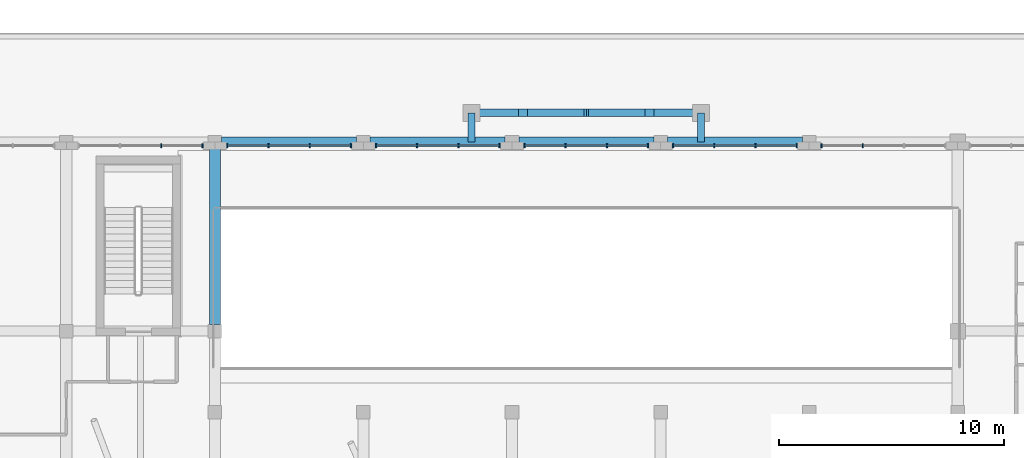
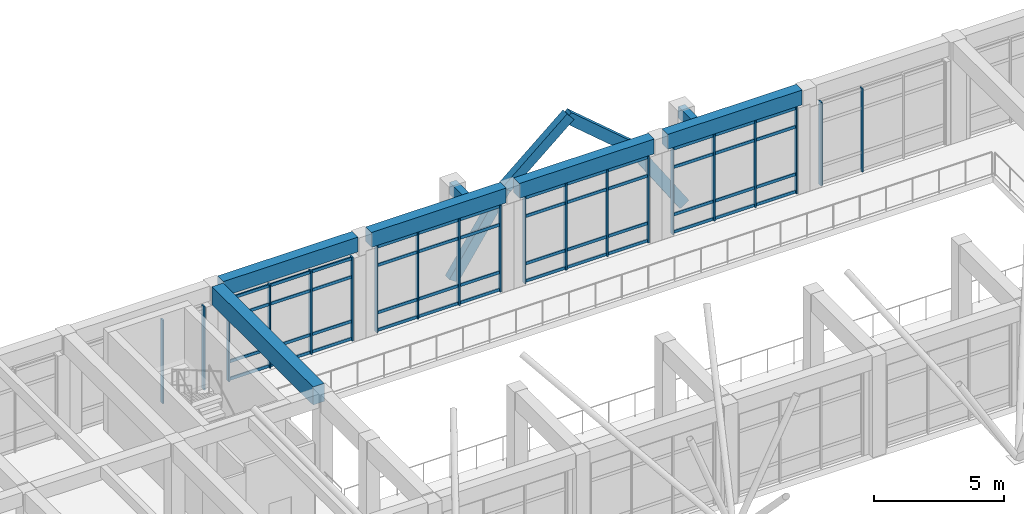
# One storey, part 20 of 75: 40 members, 7 beams, 6 elements without a shape of their own.
"""IFC4 building model written with IfcOpenShell, lengths in metres."""

from ifc_helpers import new_model, si_unit, direction, frame, origin, origin_2d, place, context, subcontext, project, spatial, rectangle, extrude, material, layer, layer_set, material_profile, profile_set, type_object, element, aggregate, save


model = new_model("IFC4")

# Units and contexts
model_context = context("Model", 3, precision=1e-05, world=origin(), true_north=direction((0.0, 1.0)))
body_context = subcontext(model_context, "Body", "Model", "MODEL_VIEW")
ifc_project = project(units=[si_unit("LENGTHUNIT", "METRE"), si_unit("AREAUNIT", "SQUARE_METRE"), si_unit("VOLUMEUNIT", "CUBIC_METRE"), si_unit("PLANEANGLEUNIT", "RADIAN"), si_unit("MASSUNIT", "GRAM", prefix="KILO")], contexts=[model_context])

# Site, building, storey
site_placement = place(None, origin())
site = spatial("IfcSite", under=ifc_project, at=site_placement, CompositionType="ELEMENT")
building_placement = place(site_placement, origin())
building = spatial("IfcBuilding", under=site, at=building_placement, Name="Kolvaren Faculty of Natural Sciences", CompositionType="ELEMENT")
storey_placement = place(building_placement, frame((0.0, 0.0, 5.39990234375)))
storey = spatial("IfcBuildingStorey", under=building, at=storey_placement, Name="L01", CompositionType="ELEMENT", Elevation=5.39990234375)

# Curtain wall, members
ifc_material_1 = material(Name="Thermally broken anodised aluminium framing", Category="aluminium")
ifc_layer = layer(ifc_material_1, 0.179931640625)
ifc_layer_set = layer_set([ifc_layer], Name="Thermally broken anodised aluminium framing")
curtain_wall_type = type_object("IfcCurtainWallType", Name="AtriumCurtainWall_CW01", PredefinedType="NOTDEFINED", material=ifc_layer_set)
curtain_wall_1_placement = place(storey_placement, origin())
curtain_wall_1 = element("IfcCurtainWall", 1, at=curtain_wall_1_placement, inside=storey, type_object=curtain_wall_type, Name="L01 unitised curtain wall CW-01 (CW-L01-055)", PredefinedType="NOTDEFINED")
ifc_material_profile_1 = material_profile(ifc_material_1, rectangle(XDim=0.06005859375, YDim=0.179931640625, at=origin_2d()), Name="ALU MUL 60x180")
ifc_profile_set_1 = profile_set([ifc_material_profile_1], Name="Thermally broken anodised aluminium framing")
member_type_1 = type_object("IfcMemberType", Name="CurtainMullion_60x180", PredefinedType="MULLION", material=ifc_profile_set_1)
member_1_placement = place(storey_placement, frame((63.816650390625, 84.0400390625, 0.0), z_axis=(0.0, 0.0, 1.0), x_axis=(1.0, 0.0, 0.0)))
member_1 = element("IfcMember", 2, at=member_1_placement, type_object=member_type_1, Name="CW-L01-055 vertical mullion 3", PredefinedType="MULLION", context=body_context, shape_type="SweptSolid", body=[
    extrude(rectangle(XDim=0.06005859375, YDim=0.179931640625, at=origin_2d()), origin(), (0.0, 0.0, 1.0), 3.93505859375),
])
member_2_placement = place(storey_placement, frame((65.64990234375, 84.0400390625, 0.0), z_axis=(0.0, 0.0, 1.0), x_axis=(1.0, 0.0, 0.0)))
member_2 = element("IfcMember", 3, at=member_2_placement, type_object=member_type_1, Name="CW-L01-055 vertical mullion 4", PredefinedType="MULLION", context=body_context, shape_type="SweptSolid", body=[
    extrude(rectangle(XDim=0.06005859375, YDim=0.179931640625, at=origin_2d()), origin(), (0.0, 0.0, 1.0), 3.93505859375),
])
aggregate(curtain_wall_1, [member_1, member_2])

curtain_wall_2_placement = place(storey_placement, origin())
curtain_wall_2 = element("IfcCurtainWall", 4, at=curtain_wall_2_placement, inside=storey, type_object=curtain_wall_type, Name="L01 unitised curtain wall CW-01 (CW-L01-056)", PredefinedType="NOTDEFINED")
member_3_placement = place(storey_placement, frame((66.75, 84.0400390625, 0.0), z_axis=(0.0, 0.0, 1.0), x_axis=(1.0, 0.0, 0.0)))
member_3 = element("IfcMember", 5, at=member_3_placement, type_object=member_type_1, Name="CW-L01-056 vertical mullion 1", PredefinedType="MULLION", context=body_context, shape_type="SweptSolid", body=[
    extrude(rectangle(XDim=0.06005859375, YDim=0.179931640625, at=origin_2d()), origin(), (0.0, 0.0, 1.0), 3.93505859375),
])
member_4_placement = place(storey_placement, frame((68.583251953125, 84.0400390625, 0.0), z_axis=(0.0, 0.0, 1.0), x_axis=(1.0, 0.0, 0.0)))
member_4 = element("IfcMember", 6, at=member_4_placement, type_object=member_type_1, Name="CW-L01-056 vertical mullion 2", PredefinedType="MULLION", context=body_context, shape_type="SweptSolid", body=[
    extrude(rectangle(XDim=0.06005859375, YDim=0.179931640625, at=origin_2d()), origin(), (0.0, 0.0, 1.0), 3.93505859375),
])
member_5_placement = place(storey_placement, frame((70.416748046875, 84.0400390625, 0.0), z_axis=(0.0, 0.0, 1.0), x_axis=(1.0, 0.0, 0.0)))
member_5 = element("IfcMember", 7, at=member_5_placement, type_object=member_type_1, Name="CW-L01-056 vertical mullion 3", PredefinedType="MULLION", context=body_context, shape_type="SweptSolid", body=[
    extrude(rectangle(XDim=0.06005859375, YDim=0.179931640625, at=origin_2d()), origin(), (0.0, 0.0, 1.0), 3.93505859375),
])
member_6_placement = place(storey_placement, frame((72.25, 84.0400390625, 0.0), z_axis=(0.0, 0.0, 1.0), x_axis=(1.0, 0.0, 0.0)))
member_6 = element("IfcMember", 8, at=member_6_placement, type_object=member_type_1, Name="CW-L01-056 vertical mullion 4", PredefinedType="MULLION", context=body_context, shape_type="SweptSolid", body=[
    extrude(rectangle(XDim=0.06005859375, YDim=0.179931640625, at=origin_2d()), origin(), (0.0, 0.0, 1.0), 3.93505859375),
])

curtain_wall_3_placement = place(storey_placement, origin())
curtain_wall_3 = element("IfcCurtainWall", 9, at=curtain_wall_3_placement, inside=storey, type_object=curtain_wall_type, Name="L01 unitised curtain wall CW-01 (CW-L01-057)", PredefinedType="NOTDEFINED")
member_7_placement = place(storey_placement, frame((73.35009765625, 84.0400390625, 0.0), z_axis=(0.0, 0.0, 1.0), x_axis=(1.0, 0.0, 0.0)))
member_7 = element("IfcMember", 10, at=member_7_placement, type_object=member_type_1, Name="CW-L01-057 vertical mullion 1", PredefinedType="MULLION", context=body_context, shape_type="SweptSolid", body=[
    extrude(rectangle(XDim=0.06005859375, YDim=0.179931640625, at=origin_2d()), origin(), (0.0, 0.0, 1.0), 4.085205078125),
])
member_8_placement = place(storey_placement, frame((75.183349609375, 84.0400390625, 0.0), z_axis=(0.0, 0.0, 1.0), x_axis=(1.0, 0.0, 0.0)))
member_8 = element("IfcMember", 11, at=member_8_placement, type_object=member_type_1, Name="CW-L01-057 vertical mullion 2", PredefinedType="MULLION", context=body_context, shape_type="SweptSolid", body=[
    extrude(rectangle(XDim=0.06005859375, YDim=0.179931640625, at=origin_2d()), origin(), (0.0, 0.0, 1.0), 4.085205078125),
])
member_9_placement = place(storey_placement, frame((77.0166015625, 84.0400390625, 0.0), z_axis=(0.0, 0.0, 1.0), x_axis=(1.0, 0.0, 0.0)))
member_9 = element("IfcMember", 12, at=member_9_placement, type_object=member_type_1, Name="CW-L01-057 vertical mullion 3", PredefinedType="MULLION", context=body_context, shape_type="SweptSolid", body=[
    extrude(rectangle(XDim=0.06005859375, YDim=0.179931640625, at=origin_2d()), origin(), (0.0, 0.0, 1.0), 4.085205078125),
])
member_10_placement = place(storey_placement, frame((78.85009765625, 84.0400390625, 0.0), z_axis=(0.0, 0.0, 1.0), x_axis=(1.0, 0.0, 0.0)))
member_10 = element("IfcMember", 13, at=member_10_placement, type_object=member_type_1, Name="CW-L01-057 vertical mullion 4", PredefinedType="MULLION", context=body_context, shape_type="SweptSolid", body=[
    extrude(rectangle(XDim=0.06005859375, YDim=0.179931640625, at=origin_2d()), origin(), (0.0, 0.0, 1.0), 4.085205078125),
])

curtain_wall_4_placement = place(storey_placement, origin())
curtain_wall_4 = element("IfcCurtainWall", 14, at=curtain_wall_4_placement, inside=storey, type_object=curtain_wall_type, Name="L01 unitised curtain wall CW-01 (CW-L01-058)", PredefinedType="NOTDEFINED")
member_11_placement = place(storey_placement, frame((79.949951171875, 84.0400390625, 0.0), z_axis=(0.0, 0.0, 1.0), x_axis=(1.0, 0.0, 0.0)))
member_11 = element("IfcMember", 15, at=member_11_placement, type_object=member_type_1, Name="CW-L01-058 vertical mullion 1", PredefinedType="MULLION", context=body_context, shape_type="SweptSolid", body=[
    extrude(rectangle(XDim=0.06005859375, YDim=0.179931640625, at=origin_2d()), origin(), (0.0, 0.0, 1.0), 4.085205078125),
])
member_12_placement = place(storey_placement, frame((81.783203125, 84.0400390625, 0.0), z_axis=(0.0, 0.0, 1.0), x_axis=(1.0, 0.0, 0.0)))
member_12 = element("IfcMember", 16, at=member_12_placement, type_object=member_type_1, Name="CW-L01-058 vertical mullion 2", PredefinedType="MULLION", context=body_context, shape_type="SweptSolid", body=[
    extrude(rectangle(XDim=0.06005859375, YDim=0.179931640625, at=origin_2d()), origin(), (0.0, 0.0, 1.0), 4.085205078125),
])
member_13_placement = place(storey_placement, frame((83.61669921875, 84.0400390625, 0.0), z_axis=(0.0, 0.0, 1.0), x_axis=(1.0, 0.0, 0.0)))
member_13 = element("IfcMember", 17, at=member_13_placement, type_object=member_type_1, Name="CW-L01-058 vertical mullion 3", PredefinedType="MULLION", context=body_context, shape_type="SweptSolid", body=[
    extrude(rectangle(XDim=0.06005859375, YDim=0.179931640625, at=origin_2d()), origin(), (0.0, 0.0, 1.0), 4.085205078125),
])
member_14_placement = place(storey_placement, frame((85.449951171875, 84.0400390625, 0.0), z_axis=(0.0, 0.0, 1.0), x_axis=(1.0, 0.0, 0.0)))
member_14 = element("IfcMember", 18, at=member_14_placement, type_object=member_type_1, Name="CW-L01-058 vertical mullion 4", PredefinedType="MULLION", context=body_context, shape_type="SweptSolid", body=[
    extrude(rectangle(XDim=0.06005859375, YDim=0.179931640625, at=origin_2d()), origin(), (0.0, 0.0, 1.0), 4.085205078125),
])

curtain_wall_5_placement = place(storey_placement, origin())
curtain_wall_5 = element("IfcCurtainWall", 19, at=curtain_wall_5_placement, inside=storey, type_object=curtain_wall_type, Name="L01 unitised curtain wall CW-01 (CW-L01-059)", PredefinedType="NOTDEFINED")
member_15_placement = place(storey_placement, frame((86.550048828125, 84.0400390625, 0.0), z_axis=(0.0, 0.0, 1.0), x_axis=(1.0, 0.0, 0.0)))
member_15 = element("IfcMember", 20, at=member_15_placement, type_object=member_type_1, Name="CW-L01-059 vertical mullion 1", PredefinedType="MULLION", context=body_context, shape_type="SweptSolid", body=[
    extrude(rectangle(XDim=0.06005859375, YDim=0.179931640625, at=origin_2d()), origin(), (0.0, 0.0, 1.0), 4.085205078125),
])
member_16_placement = place(storey_placement, frame((88.38330078125, 84.0400390625, 0.0), z_axis=(0.0, 0.0, 1.0), x_axis=(1.0, 0.0, 0.0)))
member_16 = element("IfcMember", 21, at=member_16_placement, type_object=member_type_1, Name="CW-L01-059 vertical mullion 2", PredefinedType="MULLION", context=body_context, shape_type="SweptSolid", body=[
    extrude(rectangle(XDim=0.06005859375, YDim=0.179931640625, at=origin_2d()), origin(), (0.0, 0.0, 1.0), 4.085205078125),
])
member_17_placement = place(storey_placement, frame((90.216796875, 84.0400390625, 0.0), z_axis=(0.0, 0.0, 1.0), x_axis=(1.0, 0.0, 0.0)))
member_17 = element("IfcMember", 22, at=member_17_placement, type_object=member_type_1, Name="CW-L01-059 vertical mullion 3", PredefinedType="MULLION", context=body_context, shape_type="SweptSolid", body=[
    extrude(rectangle(XDim=0.06005859375, YDim=0.179931640625, at=origin_2d()), origin(), (0.0, 0.0, 1.0), 4.085205078125),
])
member_18_placement = place(storey_placement, frame((92.050048828125, 84.0400390625, 0.0), z_axis=(0.0, 0.0, 1.0), x_axis=(1.0, 0.0, 0.0)))
member_18 = element("IfcMember", 23, at=member_18_placement, type_object=member_type_1, Name="CW-L01-059 vertical mullion 4", PredefinedType="MULLION", context=body_context, shape_type="SweptSolid", body=[
    extrude(rectangle(XDim=0.06005859375, YDim=0.179931640625, at=origin_2d()), origin(), (0.0, 0.0, 1.0), 4.085205078125),
])

curtain_wall_6_placement = place(storey_placement, origin())
curtain_wall_6 = element("IfcCurtainWall", 24, at=curtain_wall_6_placement, inside=storey, type_object=curtain_wall_type, Name="L01 unitised curtain wall CW-01 (CW-L01-060)", PredefinedType="NOTDEFINED")
member_19_placement = place(storey_placement, frame((93.14990234375, 84.0400390625, 0.0), z_axis=(0.0, 0.0, 1.0), x_axis=(1.0, 0.0, 0.0)))
member_19 = element("IfcMember", 25, at=member_19_placement, type_object=member_type_1, Name="CW-L01-060 vertical mullion 1", PredefinedType="MULLION", context=body_context, shape_type="SweptSolid", body=[
    extrude(rectangle(XDim=0.06005859375, YDim=0.179931640625, at=origin_2d()), origin(), (0.0, 0.0, 1.0), 3.93505859375),
])
member_20_placement = place(storey_placement, frame((94.9833984375, 84.0400390625, 0.0), z_axis=(0.0, 0.0, 1.0), x_axis=(1.0, 0.0, 0.0)))
member_20 = element("IfcMember", 26, at=member_20_placement, type_object=member_type_1, Name="CW-L01-060 vertical mullion 2", PredefinedType="MULLION", context=body_context, shape_type="SweptSolid", body=[
    extrude(rectangle(XDim=0.06005859375, YDim=0.179931640625, at=origin_2d()), origin(), (0.0, 0.0, 1.0), 3.93505859375),
])
aggregate(curtain_wall_6, [member_19, member_20])

# Member
ifc_material_profile_2 = material_profile(ifc_material_1, rectangle(XDim=0.06005859375, YDim=0.139892578125, at=origin_2d()), Name="ALU TRN 60x140")
ifc_profile_set_2 = profile_set([ifc_material_profile_2], Name="Thermally broken anodised aluminium framing")
member_type_2 = type_object("IfcMemberType", Name="CurtainTransom_60x140", PredefinedType="USERDEFINED", material=ifc_profile_set_2)
member_21_placement = place(storey_placement, frame((66.75, 84.0400390625, 0.080078125), z_axis=(1.0, 0.0, 0.0), x_axis=(0.0, 1.0, 0.0)))
member_21 = element("IfcMember", 27, at=member_21_placement, type_object=member_type_2, Name="CW-L01-056 horizontal transom 1", ObjectType="TRANSOM", PredefinedType="USERDEFINED", context=body_context, shape_type="SweptSolid", body=[
    extrude(rectangle(XDim=0.06005859375, YDim=0.139892578125, at=origin_2d()), origin(), (0.0, 0.0, 1.0), 5.5),
])

member_22_placement = place(storey_placement, frame((66.75, 84.0400390625, 0.900146484375), z_axis=(1.0, 0.0, 0.0), x_axis=(0.0, 1.0, 0.0)))
member_22 = element("IfcMember", 28, at=member_22_placement, type_object=member_type_2, Name="CW-L01-056 horizontal transom 2", ObjectType="TRANSOM", PredefinedType="USERDEFINED", context=body_context, shape_type="SweptSolid", body=[
    extrude(rectangle(XDim=0.06005859375, YDim=0.139892578125, at=origin_2d()), origin(), (0.0, 0.0, 1.0), 5.5),
])

member_23_placement = place(storey_placement, frame((66.75, 84.0400390625, 2.985107421875), z_axis=(1.0, 0.0, 0.0), x_axis=(0.0, 1.0, 0.0)))
member_23 = element("IfcMember", 29, at=member_23_placement, type_object=member_type_2, Name="CW-L01-056 horizontal transom 3", ObjectType="TRANSOM", PredefinedType="USERDEFINED", context=body_context, shape_type="SweptSolid", body=[
    extrude(rectangle(XDim=0.06005859375, YDim=0.139892578125, at=origin_2d()), origin(), (0.0, 0.0, 1.0), 5.5),
])

member_24_placement = place(storey_placement, frame((66.75, 84.0400390625, 3.85498046875), z_axis=(1.0, 0.0, 0.0), x_axis=(0.0, 1.0, 0.0)))
member_24 = element("IfcMember", 30, at=member_24_placement, type_object=member_type_2, Name="CW-L01-056 horizontal transom 4", ObjectType="TRANSOM", PredefinedType="USERDEFINED", context=body_context, shape_type="SweptSolid", body=[
    extrude(rectangle(XDim=0.06005859375, YDim=0.139892578125, at=origin_2d()), origin(), (0.0, 0.0, 1.0), 5.5),
])

aggregate(curtain_wall_2, [member_3, member_4, member_5, member_6, member_21, member_22, member_23, member_24])

member_25_placement = place(storey_placement, frame((73.35009765625, 84.0400390625, 0.080078125), z_axis=(1.0, 0.0, 0.0), x_axis=(0.0, 1.0, 0.0)))
member_25 = element("IfcMember", 31, at=member_25_placement, type_object=member_type_2, Name="CW-L01-057 horizontal transom 1", ObjectType="TRANSOM", PredefinedType="USERDEFINED", context=body_context, shape_type="SweptSolid", body=[
    extrude(rectangle(XDim=0.06005859375, YDim=0.139892578125, at=origin_2d()), origin(), (0.0, 0.0, 1.0), 5.5),
])

member_26_placement = place(storey_placement, frame((73.35009765625, 84.0400390625, 0.900146484375), z_axis=(1.0, 0.0, 0.0), x_axis=(0.0, 1.0, 0.0)))
member_26 = element("IfcMember", 32, at=member_26_placement, type_object=member_type_2, Name="CW-L01-057 horizontal transom 2", ObjectType="TRANSOM", PredefinedType="USERDEFINED", context=body_context, shape_type="SweptSolid", body=[
    extrude(rectangle(XDim=0.06005859375, YDim=0.139892578125, at=origin_2d()), origin(), (0.0, 0.0, 1.0), 5.5),
])

member_27_placement = place(storey_placement, frame((73.35009765625, 84.0400390625, 3.135009765625), z_axis=(1.0, 0.0, 0.0), x_axis=(0.0, 1.0, 0.0)))
member_27 = element("IfcMember", 33, at=member_27_placement, type_object=member_type_2, Name="CW-L01-057 horizontal transom 3", ObjectType="TRANSOM", PredefinedType="USERDEFINED", context=body_context, shape_type="SweptSolid", body=[
    extrude(rectangle(XDim=0.06005859375, YDim=0.139892578125, at=origin_2d()), origin(), (0.0, 0.0, 1.0), 5.5),
])

member_28_placement = place(storey_placement, frame((73.35009765625, 84.0400390625, 4.005126953125), z_axis=(1.0, 0.0, 0.0), x_axis=(0.0, 1.0, 0.0)))
member_28 = element("IfcMember", 34, at=member_28_placement, type_object=member_type_2, Name="CW-L01-057 horizontal transom 4", ObjectType="TRANSOM", PredefinedType="USERDEFINED", context=body_context, shape_type="SweptSolid", body=[
    extrude(rectangle(XDim=0.06005859375, YDim=0.139892578125, at=origin_2d()), origin(), (0.0, 0.0, 1.0), 5.5),
])

aggregate(curtain_wall_3, [member_7, member_8, member_9, member_10, member_25, member_26, member_27, member_28])

member_29_placement = place(storey_placement, frame((79.949951171875, 84.0400390625, 0.080078125), z_axis=(1.0, 0.0, 0.0), x_axis=(0.0, 1.0, 0.0)))
member_29 = element("IfcMember", 35, at=member_29_placement, type_object=member_type_2, Name="CW-L01-058 horizontal transom 1", ObjectType="TRANSOM", PredefinedType="USERDEFINED", context=body_context, shape_type="SweptSolid", body=[
    extrude(rectangle(XDim=0.06005859375, YDim=0.139892578125, at=origin_2d()), origin(), (0.0, 0.0, 1.0), 5.5),
])

member_30_placement = place(storey_placement, frame((79.949951171875, 84.0400390625, 0.900146484375), z_axis=(1.0, 0.0, 0.0), x_axis=(0.0, 1.0, 0.0)))
member_30 = element("IfcMember", 36, at=member_30_placement, type_object=member_type_2, Name="CW-L01-058 horizontal transom 2", ObjectType="TRANSOM", PredefinedType="USERDEFINED", context=body_context, shape_type="SweptSolid", body=[
    extrude(rectangle(XDim=0.06005859375, YDim=0.139892578125, at=origin_2d()), origin(), (0.0, 0.0, 1.0), 5.5),
])

member_31_placement = place(storey_placement, frame((79.949951171875, 84.0400390625, 3.135009765625), z_axis=(1.0, 0.0, 0.0), x_axis=(0.0, 1.0, 0.0)))
member_31 = element("IfcMember", 37, at=member_31_placement, type_object=member_type_2, Name="CW-L01-058 horizontal transom 3", ObjectType="TRANSOM", PredefinedType="USERDEFINED", context=body_context, shape_type="SweptSolid", body=[
    extrude(rectangle(XDim=0.06005859375, YDim=0.139892578125, at=origin_2d()), origin(), (0.0, 0.0, 1.0), 5.5),
])

member_32_placement = place(storey_placement, frame((79.949951171875, 84.0400390625, 4.005126953125), z_axis=(1.0, 0.0, 0.0), x_axis=(0.0, 1.0, 0.0)))
member_32 = element("IfcMember", 38, at=member_32_placement, type_object=member_type_2, Name="CW-L01-058 horizontal transom 4", ObjectType="TRANSOM", PredefinedType="USERDEFINED", context=body_context, shape_type="SweptSolid", body=[
    extrude(rectangle(XDim=0.06005859375, YDim=0.139892578125, at=origin_2d()), origin(), (0.0, 0.0, 1.0), 5.5),
])

aggregate(curtain_wall_4, [member_11, member_12, member_13, member_14, member_29, member_30, member_31, member_32])

member_33_placement = place(storey_placement, frame((86.550048828125, 84.0400390625, 0.080078125), z_axis=(1.0, 0.0, 0.0), x_axis=(0.0, 1.0, 0.0)))
member_33 = element("IfcMember", 39, at=member_33_placement, type_object=member_type_2, Name="CW-L01-059 horizontal transom 1", ObjectType="TRANSOM", PredefinedType="USERDEFINED", context=body_context, shape_type="SweptSolid", body=[
    extrude(rectangle(XDim=0.06005859375, YDim=0.139892578125, at=origin_2d()), origin(), (0.0, 0.0, 1.0), 5.5),
])

member_34_placement = place(storey_placement, frame((86.550048828125, 84.0400390625, 0.900146484375), z_axis=(1.0, 0.0, 0.0), x_axis=(0.0, 1.0, 0.0)))
member_34 = element("IfcMember", 40, at=member_34_placement, type_object=member_type_2, Name="CW-L01-059 horizontal transom 2", ObjectType="TRANSOM", PredefinedType="USERDEFINED", context=body_context, shape_type="SweptSolid", body=[
    extrude(rectangle(XDim=0.06005859375, YDim=0.139892578125, at=origin_2d()), origin(), (0.0, 0.0, 1.0), 5.5),
])

member_35_placement = place(storey_placement, frame((86.550048828125, 84.0400390625, 3.135009765625), z_axis=(1.0, 0.0, 0.0), x_axis=(0.0, 1.0, 0.0)))
member_35 = element("IfcMember", 41, at=member_35_placement, type_object=member_type_2, Name="CW-L01-059 horizontal transom 3", ObjectType="TRANSOM", PredefinedType="USERDEFINED", context=body_context, shape_type="SweptSolid", body=[
    extrude(rectangle(XDim=0.06005859375, YDim=0.139892578125, at=origin_2d()), origin(), (0.0, 0.0, 1.0), 5.5),
])

member_36_placement = place(storey_placement, frame((86.550048828125, 84.0400390625, 4.005126953125), z_axis=(1.0, 0.0, 0.0), x_axis=(0.0, 1.0, 0.0)))
member_36 = element("IfcMember", 42, at=member_36_placement, type_object=member_type_2, Name="CW-L01-059 horizontal transom 4", ObjectType="TRANSOM", PredefinedType="USERDEFINED", context=body_context, shape_type="SweptSolid", body=[
    extrude(rectangle(XDim=0.06005859375, YDim=0.139892578125, at=origin_2d()), origin(), (0.0, 0.0, 1.0), 5.5),
])

aggregate(curtain_wall_5, [member_15, member_16, member_17, member_18, member_33, member_34, member_35, member_36])

# Members
ifc_material_2 = material(Name="Precast concrete C35/45", Category="concrete")
ifc_material_profile_3 = material_profile(ifc_material_2, rectangle(XDim=0.320068359375, YDim=0.47998046875, at=origin_2d()), Name="RC ARCH 320x480")
ifc_profile_set_3 = profile_set([ifc_material_profile_3], Name="Precast concrete C35/45")
member_type_3 = type_object("IfcMemberType", Name="MughalPointedArchRib_320x480", PredefinedType="CHORD", material=ifc_profile_set_3)
member_37_placement = place(storey_placement, frame((77.5556640625, 85.5, 0.133544921875), z_axis=(0.554928016904, 0.0, 0.831898368826), x_axis=(0.0, 1.0, 0.0)))
element("IfcMember", 43, at=member_37_placement, inside=storey, type_object=member_type_3, Name="Pointed Mughal arch rib ARP-ORTH segment 1", PredefinedType="CHORD", context=body_context, shape_type="SweptSolid", body=[
    extrude(rectangle(XDim=0.320068359375, YDim=0.47998046875, at=origin_2d()), origin(), (0.0, 0.0, 1.0), 4.20361328125),
])
for number, where, z_axis, x_axis, name in (
    (44, (79.783203125, 85.5, 3.51220703125), (0.760843916361, 0.0, 0.648934923498), (0.0, 1.0, 0.0), "Pointed Mughal arch rib ARP-ORTH segment 2"),
    (45, (82.63916015625, 85.5, 6.052001953125), (0.760843916361, 0.0, -0.648934923498), (0.0, 1.0, 0.0), "Pointed Mughal arch rib ARP-ORTH segment 3"),
):
    element("IfcMember", number, at=place(storey_placement, frame(where, z_axis=z_axis, x_axis=x_axis)), inside=storey, type_object=member_type_3, Name=name, PredefinedType="CHORD", context=body_context, shape_type="SweptSolid", body=[
        extrude(rectangle(XDim=0.320068359375, YDim=0.47998046875, at=origin_2d()), origin(), (0.0, 0.0, 1.0), 3.913818359375),
    ])
member_38_placement = place(storey_placement, frame((85.51171875, 85.5, 3.630615234375), z_axis=(0.554928016904, 0.0, -0.831898368826), x_axis=(0.0, 1.0, 0.0)))
element("IfcMember", 46, at=member_38_placement, inside=storey, type_object=member_type_3, Name="Pointed Mughal arch rib ARP-ORTH segment 4", PredefinedType="CHORD", context=body_context, shape_type="SweptSolid", body=[
    extrude(rectangle(XDim=0.320068359375, YDim=0.47998046875, at=origin_2d()), origin(), (0.0, 0.0, 1.0), 4.20361328125),
])

# Beams
ifc_material_3 = material(Name="Concrete C35/45", Category="concrete")
ifc_material_profile_4 = material_profile(ifc_material_3, rectangle(XDim=0.300048828125, YDim=0.550048828125, at=origin_2d()), Name="RC SP 300x550")
ifc_profile_set_4 = profile_set([ifc_material_profile_4], Name="Concrete C35/45")
beam_type_1 = type_object("IfcBeamType", Name="PerimeterSpandrel_300x550", PredefinedType="SPANDREL", material=ifc_profile_set_4)
for number, where, z_axis, x_axis, name in (
    (47, (77.60009765625, 84.199951171875, 4.4501953125), (0.0, 1.0, 0.0), (-1.0, 0.0, 0.0), "North Civic Square Grand Atrium Pishtaq Portal portal diaphragm tie beam L"),
    (48, (87.800048828125, 84.199951171875, 4.4501953125), (0.0, 1.0, 0.0), (-1.0, 0.0, 0.0), "North Civic Square Grand Atrium Pishtaq Portal portal diaphragm tie beam R"),
):
    element("IfcBeam", number, at=place(storey_placement, frame(where, z_axis=z_axis, x_axis=x_axis)), inside=storey, type_object=beam_type_1, Name=name, PredefinedType="SPANDREL", context=body_context, shape_type="SweptSolid", body=[
        extrude(rectangle(XDim=0.300048828125, YDim=0.550048828125, at=origin_2d()), origin(), (0.0, 0.0, 1.0), 1.300048828125),
    ])
ifc_material_profile_5 = material_profile(ifc_material_3, rectangle(XDim=0.449951171875, YDim=0.699951171875, at=origin_2d()), Name="RC SP 450x700")
ifc_profile_set_5 = profile_set([ifc_material_profile_5], Name="Concrete C35/45")
beam_type_2 = type_object("IfcBeamType", Name="PerimeterSpandrel_450x700", PredefinedType="SPANDREL", material=ifc_profile_set_5)
for number, where, z_axis, x_axis, name in (
    (49, (66.5, 84.199951171875, 4.4501953125), (1.0, 0.0, 0.0), (0.0, 1.0, 0.0), "L01 spandrel SP-70 on grid L"),
    (50, (73.10009765625, 84.199951171875, 4.4501953125), (1.0, 0.0, 0.0), (0.0, 1.0, 0.0), "L01 spandrel SP-70 on grid L"),
    (51, (79.699951171875, 84.199951171875, 4.4501953125), (1.0, 0.0, 0.0), (0.0, 1.0, 0.0), "L01 spandrel SP-70 on grid L"),
    (52, (86.300048828125, 84.199951171875, 4.4501953125), (1.0, 0.0, 0.0), (0.0, 1.0, 0.0), "L01 spandrel SP-70 on grid L"),
):
    element("IfcBeam", number, at=place(storey_placement, frame(where, z_axis=z_axis, x_axis=x_axis)), inside=storey, type_object=beam_type_2, Name=name, PredefinedType="SPANDREL", context=body_context, shape_type="SweptSolid", body=[
        extrude(rectangle(XDim=0.449951171875, YDim=0.699951171875, at=origin_2d()), origin(), (0.0, 0.0, 1.0), 6.0),
    ])
ifc_material_profile_6 = material_profile(ifc_material_3, rectangle(XDim=0.5, YDim=0.85009765625, at=origin_2d()), Name="RC BM 500x850")
ifc_profile_set_6 = profile_set([ifc_material_profile_6], Name="Concrete C35/45")
beam_type_3 = type_object("IfcBeamType", Name="PrimaryGirder_500x850", PredefinedType="BEAM", material=ifc_profile_set_6)
beam_placement = place(storey_placement, frame((66.199951171875, 76.10009765625, 4.375), z_axis=(0.0, 1.0, 0.0), x_axis=(-1.0, 0.0, 0.0)))
element("IfcBeam", 53, at=beam_placement, inside=storey, type_object=beam_type_3, Name="L01 girder BG-85 on grid 11", PredefinedType="BEAM", context=body_context, shape_type="SweptSolid", body=[
    extrude(rectangle(XDim=0.5, YDim=0.85009765625, at=origin_2d()), origin(), (0.0, 0.0, 1.0), 7.7998046875),
])

save(model, "model.ifc")
